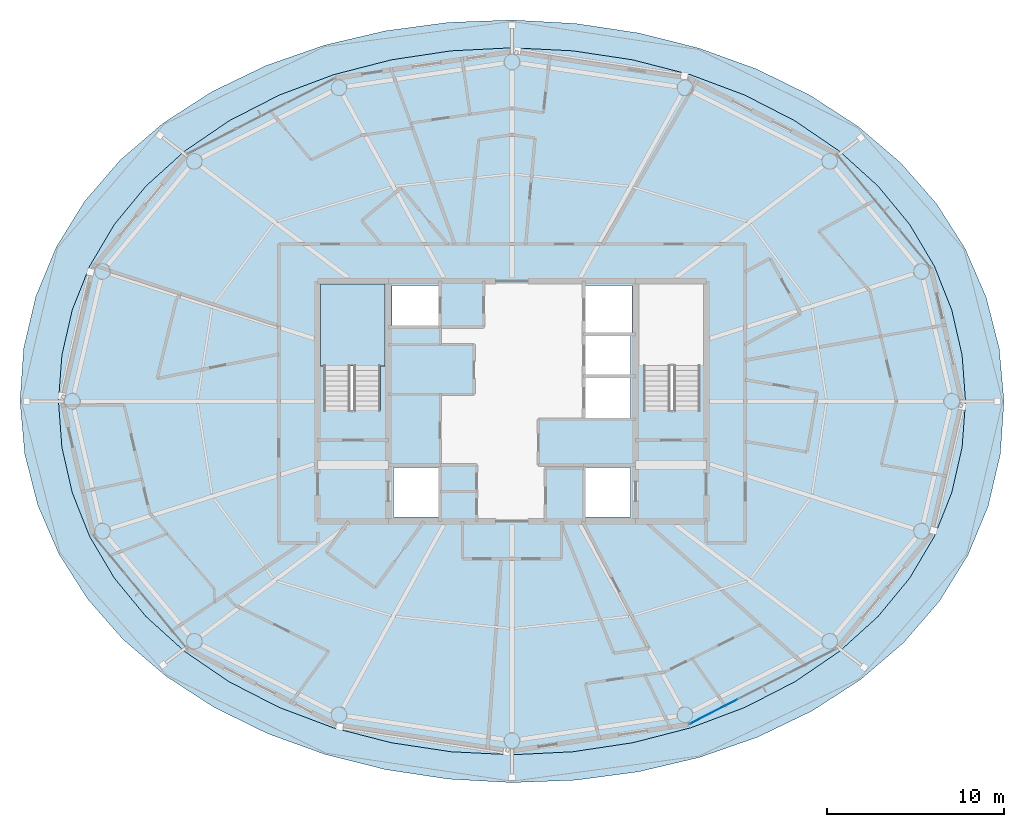
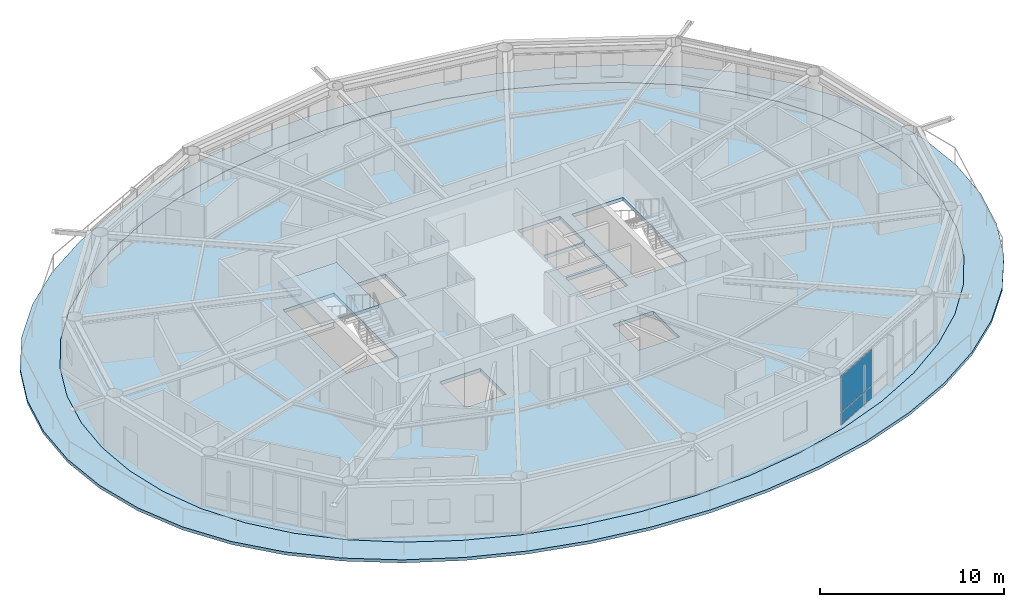
# One storey, part 13 of 22: 3 slabs, 2 plates, 2 elements without a shape of their own.
"""IFC4 building model written with IfcOpenShell, lengths in metres."""

from ifc_helpers import new_model, si_unit, direction, frame, origin, origin_2d, place, context, subcontext, project, spatial, polyline, rectangle, outline, extrude, material, layer, layer_set, type_object, element, aggregate, save


model = new_model("IFC4")

# Units and contexts
model_context = context("Model", 3, precision=1e-05, world=origin(), true_north=direction((0.0, 1.0)))
body_context = subcontext(model_context, "Body", "Model", "MODEL_VIEW")
ifc_project = project(units=[si_unit("LENGTHUNIT", "METRE"), si_unit("AREAUNIT", "SQUARE_METRE"), si_unit("VOLUMEUNIT", "CUBIC_METRE"), si_unit("PLANEANGLEUNIT", "RADIAN"), si_unit("MASSUNIT", "GRAM", prefix="KILO")], contexts=[model_context])

# Site, building, storey
site_placement = place(None, origin())
site = spatial("IfcSite", under=ifc_project, at=site_placement, CompositionType="ELEMENT")
building_placement = place(site_placement, origin())
building = spatial("IfcBuilding", under=site, at=building_placement, Name="Sarneth Arch Tower", CompositionType="ELEMENT")
storey_placement = place(building_placement, frame((0.0, 0.0, 294.60009765625)))
storey = spatial("IfcBuildingStorey", under=building, at=storey_placement, Name="L76", CompositionType="ELEMENT", Elevation=294.60009765625)

# Curtain wall, plates
ifc_material_1 = material(Name="Anodised aluminium Type AA25 and solar-control low-e laminated IGU", Category="aluminium")
ifc_layer_1 = layer(ifc_material_1, 0.179931640625)
ifc_layer_set_1 = layer_set([ifc_layer_1], Name="Anodised aluminium Type AA25 and solar-control low-e laminated IGU")
curtain_wall_type = type_object("IfcCurtainWallType", Name="CW-RES-HIGH", PredefinedType="NOTDEFINED", material=ifc_layer_set_1)
curtain_wall_placement = place(storey_placement, origin())
curtain_wall = element("IfcCurtainWall", 1, at=curtain_wall_placement, inside=storey, type_object=curtain_wall_type, Name="L76 Unitised curtain wall facet 14", PredefinedType="NOTDEFINED")
ifc_material_2 = material(Name="Solar-control low-e laminated IGU", Category="glass")
ifc_layer_2 = layer(ifc_material_2, 0.028076171875)
ifc_layer_set_2 = layer_set([ifc_layer_2], Name="Solar-control low-e laminated IGU")
plate_type = type_object("IfcPlateType", Name="CW-PANEL", PredefinedType="CURTAIN_PANEL", material=ifc_layer_set_2)
plate_1_placement = place(storey_placement, frame((59.4208984375, 24.447021484375, 0.059814453125), z_axis=(0.0, 0.0, 1.0), x_axis=(0.890009540525, 0.455941901753, 0.0)))
plate_1 = element("IfcPlate", 2, at=plate_1_placement, type_object=plate_type, Name="Curtain wall glazed vision pane CW-L76-F14/P00-00", PredefinedType="CURTAIN_PANEL", context=body_context, shape_type="SweptSolid", body=[
    extrude(rectangle(XDim=3.044677734375, YDim=0.028076171875, at=origin_2d()), origin(), (0.0, 0.0, 1.0), 0.81005859375),
])
plate_2_placement = place(storey_placement, frame((59.4208984375, 24.447021484375, 0.929931640625), z_axis=(0.0, 0.0, 1.0), x_axis=(0.890009540525, 0.455941901753, 0.0)))
plate_2 = element("IfcPlate", 3, at=plate_2_placement, type_object=plate_type, Name="Curtain wall glazed vision pane CW-L76-F14/P00-01", PredefinedType="CURTAIN_PANEL", context=body_context, shape_type="SweptSolid", body=[
    extrude(rectangle(XDim=3.044677734375, YDim=0.028076171875, at=origin_2d()), origin(), (0.0, 0.0, 1.0), 2.3798828125),
])
aggregate(curtain_wall, [plate_1, plate_2])

# Slab
ifc_material_3 = material(Name="Concrete C50/60", Category="concrete")
ifc_layer_3 = layer(ifc_material_3, 0.199951171875)
ifc_layer_set_3 = layer_set([ifc_layer_3], Name="Concrete C50/60")
slab_type_1 = type_object("IfcSlabType", Name="SLAB-BALC-200", PredefinedType="FLOOR", material=ifc_layer_set_3)
slab_1_placement = place(storey_placement, frame((0.0, 0.0, -0.2001953125)))
element("IfcSlab", 4, at=slab_1_placement, inside=storey, type_object=slab_type_1, Name="L76 Helical balcony band slab", PredefinedType="FLOOR", context=body_context, shape_type="SweptSolid", body=[
    extrude(outline(polyline([(75.837158203125, 42.0), (75.5673828125, 44.98583984375), (74.829833984375, 47.883544921875), (73.640869140625, 50.62939453125), (72.021240234375, 53.175537109375), (69.994384765625, 55.488525390625), (67.5908203125, 57.543212890625), (64.85107421875, 59.3203125), (61.82470703125, 60.80419921875), (58.568359375, 61.981201171875), (55.140869140625, 62.840576171875), (51.599853515625, 63.373779296875), (48.0, 63.57373046875), (44.393798828125, 63.436279296875), (40.8349609375, 62.9599609375), (37.380126953125, 62.1455078125), (34.0908203125, 60.997314453125), (31.031005859375, 59.52392578125), (28.2626953125, 57.73779296875), (25.84130859375, 55.65673828125), (23.81201171875, 53.3046875), (22.208740234375, 50.71337890625), (21.055908203125, 47.925048828125), (20.37060546875, 44.996826171875), (20.162841796875, 42.0), (20.4326171875, 39.01416015625), (21.170166015625, 36.116455078125), (22.359130859375, 33.37060546875), (23.978759765625, 30.824462890625), (26.005615234375, 28.511474609375), (28.4091796875, 26.456787109375), (31.14892578125, 24.6796875), (34.17529296875, 23.19580078125), (37.431640625, 22.018798828125), (40.859130859375, 21.159423828125), (44.400146484375, 20.626220703125), (48.0, 20.42626953125), (51.606201171875, 20.563720703125), (55.1650390625, 21.0400390625), (58.619873046875, 21.8544921875), (61.9091796875, 23.002685546875), (64.968994140625, 24.47607421875), (67.7373046875, 26.26220703125), (70.15869140625, 28.34326171875), (72.18798828125, 30.6953125), (73.791259765625, 33.28662109375), (74.944091796875, 36.074951171875), (75.62939453125, 39.003173828125), (75.837158203125, 42.0)]), holes=[polyline([(73.660888671875, 42.0), (73.466064453125, 44.610595703125), (72.87890625, 47.17626953125), (71.892822265625, 49.653564453125), (70.5029296875, 52.0), (68.712158203125, 54.17529296875), (66.536865234375, 56.14208984375), (64.009521484375, 57.8671875), (61.177001953125, 59.320556640625), (58.0966796875, 60.4775390625), (54.83203125, 61.318603515625), (51.44580078125, 61.828857421875), (48.0, 62.0), (44.55419921875, 61.828857421875), (41.16796875, 61.318603515625), (37.9033203125, 60.4775390625), (34.822998046875, 59.320556640625), (31.990478515625, 57.8671875), (29.463134765625, 56.14208984375), (27.287841796875, 54.17529296875), (25.4970703125, 52.0), (24.107177734375, 49.653564453125), (23.12109375, 47.17626953125), (22.533935546875, 44.610595703125), (22.339111328125, 42.0), (22.533935546875, 39.389404296875), (23.12109375, 36.82373046875), (24.107177734375, 34.346435546875), (25.4970703125, 32.0), (27.287841796875, 29.82470703125), (29.463134765625, 27.85791015625), (31.990478515625, 26.1328125), (34.822998046875, 24.679443359375), (37.9033203125, 23.5224609375), (41.16796875, 22.681396484375), (44.55419921875, 22.171142578125), (48.0, 22.0), (51.44580078125, 22.171142578125), (54.83203125, 22.681396484375), (58.0966796875, 23.5224609375), (61.177001953125, 24.679443359375), (64.009521484375, 26.1328125), (66.536865234375, 27.85791015625), (68.712158203125, 29.82470703125), (70.5029296875, 32.0), (71.892822265625, 34.346435546875), (72.87890625, 36.82373046875), (73.466064453125, 39.389404296875), (73.660888671875, 42.0)])]), origin(), (0.0, 0.0, 1.0), 0.2001953125),
])

# Stair, slab
ifc_material_4 = material(Name="Concrete C50/60", Category="concrete")
stair_type = type_object("IfcStairType", Name="STAIR-CORE-RC", PredefinedType="HALF_TURN_STAIR", material=ifc_material_4)
stair_placement = place(storey_placement, origin())
stair = element("IfcStair", 5, at=stair_placement, inside=storey, type_object=stair_type, Name="L76 Core Exit Stair 1", PredefinedType="HALF_TURN_STAIR")
ifc_material_5 = material(Name="Concrete C50/60", Category="concrete")
ifc_layer_4 = layer(ifc_material_5, 0.199951171875)
ifc_layer_set_4 = layer_set([ifc_layer_4], Name="Concrete C50/60")
slab_type_2 = type_object("IfcSlabType", Name="SLAB-LANDING-200", PredefinedType="LANDING", material=ifc_layer_set_4)
slab_2_placement = place(storey_placement, frame((0.0, 0.0, 1.599853515625)))
slab_2 = element("IfcSlab", 6, at=slab_2_placement, type_object=slab_type_2, Name="ST-1 landing 1", PredefinedType="LANDING", context=body_context, shape_type="SweptSolid", body=[
    extrude(outline(polyline([(37.175048828125, 43.985107421875), (40.824951171875, 43.985107421875), (40.824951171875, 48.625), (37.175048828125, 48.625), (37.175048828125, 43.985107421875)])), origin(), (0.0, 0.0, 1.0), 0.199951171875),
])
aggregate(stair, [slab_2])

# Slab
ifc_material_6 = material(Name="Concrete C50/60", Category="concrete")
ifc_layer_5 = layer(ifc_material_6, 0.22998046875)
ifc_layer_set_5 = layer_set([ifc_layer_5], Name="Concrete C50/60")
slab_type_3 = type_object("IfcSlabType", Name="SLAB-TOWER-230", PredefinedType="FLOOR", material=ifc_layer_set_5)
slab_3_placement = place(storey_placement, frame((0.0, 0.0, -0.22998046875)))
element("IfcSlab", 7, at=slab_3_placement, inside=storey, type_object=slab_type_3, Name="L76 Elliptical floor slab", PredefinedType="FLOOR", context=body_context, shape_type="SweptSolid", body=[
    extrude(outline(polyline([(73.660888671875, 42.0), (73.466064453125, 44.610595703125), (72.87890625, 47.17626953125), (71.892822265625, 49.653564453125), (70.5029296875, 52.0), (68.712158203125, 54.17529296875), (66.536865234375, 56.14208984375), (64.009521484375, 57.8671875), (61.177001953125, 59.320556640625), (58.0966796875, 60.4775390625), (54.83203125, 61.318603515625), (51.44580078125, 61.828857421875), (48.0, 62.0), (44.55419921875, 61.828857421875), (41.16796875, 61.318603515625), (37.9033203125, 60.4775390625), (34.822998046875, 59.320556640625), (31.990478515625, 57.8671875), (29.463134765625, 56.14208984375), (27.287841796875, 54.17529296875), (25.4970703125, 52.0), (24.107177734375, 49.653564453125), (23.12109375, 47.17626953125), (22.533935546875, 44.610595703125), (22.339111328125, 42.0), (22.533935546875, 39.389404296875), (23.12109375, 36.82373046875), (24.107177734375, 34.346435546875), (25.4970703125, 32.0), (27.287841796875, 29.82470703125), (29.463134765625, 27.85791015625), (31.990478515625, 26.1328125), (34.822998046875, 24.679443359375), (37.9033203125, 23.5224609375), (41.16796875, 22.681396484375), (44.55419921875, 22.171142578125), (48.0, 22.0), (51.44580078125, 22.171142578125), (54.83203125, 22.681396484375), (58.0966796875, 23.5224609375), (61.177001953125, 24.679443359375), (64.009521484375, 26.1328125), (66.536865234375, 27.85791015625), (68.712158203125, 29.82470703125), (70.5029296875, 32.0), (71.892822265625, 34.346435546875), (72.87890625, 36.82373046875), (73.466064453125, 39.389404296875), (73.660888671875, 42.0)]), holes=[polyline([(37.35009765625, 41.489990234375), (40.550048828125, 41.489990234375), (40.550048828125, 48.39990234375), (37.35009765625, 48.39990234375), (37.35009765625, 41.489990234375)]), polyline([(55.449951171875, 41.489990234375), (58.64990234375, 41.489990234375), (58.64990234375, 48.39990234375), (55.449951171875, 48.39990234375), (55.449951171875, 41.489990234375)]), polyline([(41.199951171875, 46.25), (43.85009765625, 46.25), (43.85009765625, 48.550048828125), (41.199951171875, 48.550048828125), (41.199951171875, 46.25)]), polyline([(41.300048828125, 35.449951171875), (43.85009765625, 35.449951171875), (43.85009765625, 38.25), (41.300048828125, 38.25), (41.300048828125, 35.449951171875)]), polyline([(52.14990234375, 35.449951171875), (54.699951171875, 35.449951171875), (54.699951171875, 38.25), (52.14990234375, 38.25), (52.14990234375, 35.449951171875)]), polyline([(52.14990234375, 45.85009765625), (54.800048828125, 45.85009765625), (54.800048828125, 48.550048828125), (52.14990234375, 48.550048828125), (52.14990234375, 45.85009765625)]), polyline([(52.14990234375, 41.050048828125), (54.699951171875, 41.050048828125), (54.699951171875, 43.35009765625), (52.14990234375, 43.35009765625), (52.14990234375, 41.050048828125)]), polyline([(52.14990234375, 43.5), (54.699951171875, 43.5), (54.699951171875, 45.75), (52.14990234375, 45.75), (52.14990234375, 43.5)])]), origin(), (0.0, 0.0, 1.0), 0.22998046875),
])

save(model, "model.ifc")
